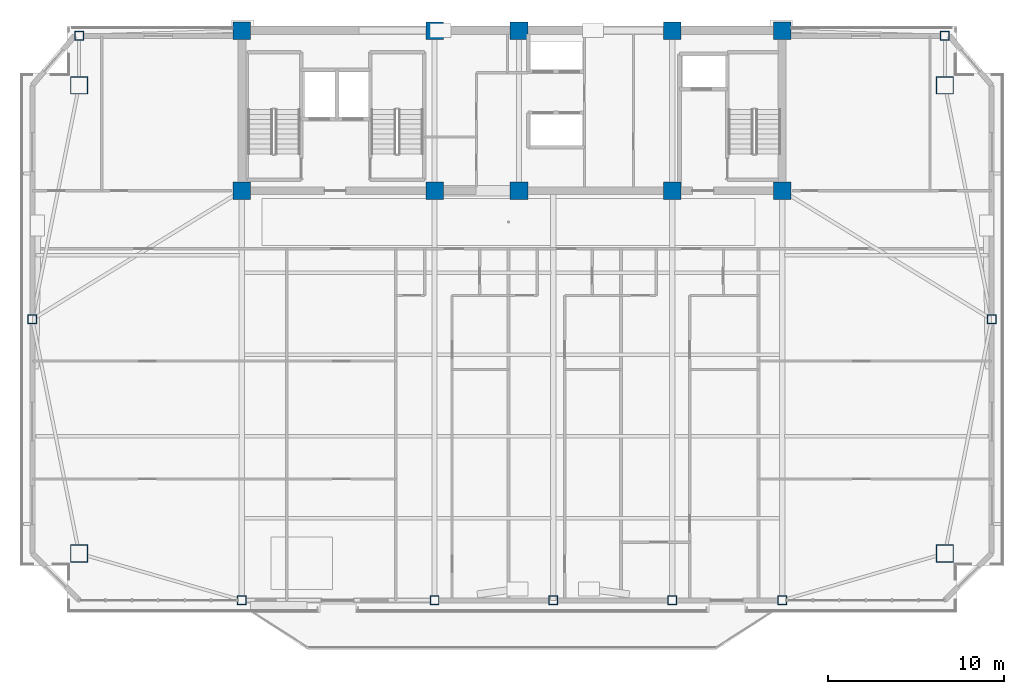
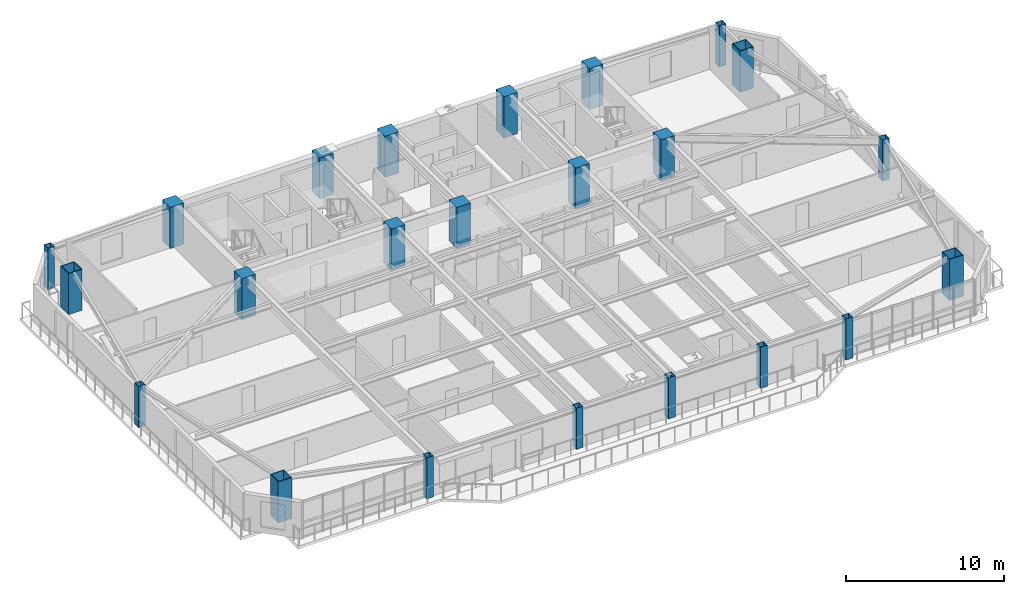
# One storey, part 1 of 19: 23 columns.
"""IFC4 building model written with IfcOpenShell, lengths in metres."""

from ifc_helpers import new_model, si_unit, direction, frame, origin, origin_2d, place, context, subcontext, project, spatial, rectangle, hollow_rectangle, extrude, source, transform, mapped, material, material_profile, profile_set, type_object, element, save


model = new_model("IFC4")

# Units and contexts
model_context = context("Model", 3, precision=1e-05, world=origin(), true_north=direction((0.0, 1.0)))
body_context = subcontext(model_context, "Body", "Model", "MODEL_VIEW")
ifc_project = project(units=[si_unit("LENGTHUNIT", "METRE"), si_unit("AREAUNIT", "SQUARE_METRE"), si_unit("VOLUMEUNIT", "CUBIC_METRE"), si_unit("PLANEANGLEUNIT", "RADIAN"), si_unit("MASSUNIT", "GRAM", prefix="KILO")], contexts=[model_context])

# Site, building, storey
site_placement = place(None, origin())
site = spatial("IfcSite", under=ifc_project, at=site_placement, CompositionType="ELEMENT")
building_placement = place(site_placement, origin())
building = spatial("IfcBuilding", under=site, at=building_placement, Name="Giltprow Tower", CompositionType="ELEMENT")
storey_placement = place(building_placement, frame((0.0, 0.0, 241.699951171875)))
storey = spatial("IfcBuildingStorey", under=building, at=storey_placement, Name="L61", CompositionType="ELEMENT", Elevation=241.699951171875)

# Columns
ifc_material_1 = material(Name="Concrete C50", Category="concrete")
ifc_material_profile_1 = material_profile(ifc_material_1, rectangle(XDim=1.0, YDim=1.0, at=origin_2d()), Name="RC 1000x1000")
ifc_profile_set_1 = profile_set([ifc_material_profile_1], Name="Concrete C50")
column_type_1 = type_object("IfcColumnType", Name="PIL-RC-1000-C50", PredefinedType="PILASTER", material=ifc_profile_set_1)
shared_shape_1 = source(origin(), body_context, "Body", "SweptSolid", [
    extrude(rectangle(XDim=1.0, YDim=1.0, at=origin_2d()), origin(), (0.0, 0.0, 1.0), 3.18505859375),
])
for number, where, z_axis, x_axis, name in (
    (1, (19.85009765625, 37.449951171875, 0.0), (0.0, 0.0, 1.0), (1.0, 0.0, 0.0), "L61 Core Boundary Pilaster 1-1"),
    (2, (19.85009765625, 46.550048828125, 0.0), (0.0, 0.0, 1.0), (1.0, 0.0, 0.0), "L61 Core Boundary Pilaster 1-2"),
    (3, (30.800048828125, 37.449951171875, 0.0), (0.0, 0.0, 1.0), (1.0, 0.0, 0.0), "L61 Core Boundary Pilaster 2-1"),
    (4, (30.800048828125, 46.550048828125, 0.0), (0.0, 0.0, 1.0), (1.0, 0.0, 0.0), "L61 Core Boundary Pilaster 2-2"),
    (5, (35.60009765625, 37.449951171875, 0.0), (0.0, 0.0, 1.0), (1.0, 0.0, 0.0), "L61 Core Boundary Pilaster 3-1"),
    (6, (35.60009765625, 46.550048828125, 0.0), (0.0, 0.0, 1.0), (1.0, 0.0, 0.0), "L61 Core Boundary Pilaster 3-2"),
    (7, (44.300048828125, 37.449951171875, 0.0), (0.0, 0.0, 1.0), (1.0, 0.0, 0.0), "L61 Core Boundary Pilaster 4-1"),
    (8, (44.300048828125, 46.550048828125, 0.0), (0.0, 0.0, 1.0), (1.0, 0.0, 0.0), "L61 Core Boundary Pilaster 4-2"),
    (9, (50.550048828125, 37.449951171875, 0.0), (0.0, 0.0, 1.0), (1.0, 0.0, 0.0), "L61 Core Boundary Pilaster 5-1"),
    (10, (50.550048828125, 46.550048828125, 0.0), (0.0, 0.0, 1.0), (1.0, 0.0, 0.0), "L61 Core Boundary Pilaster 5-2"),
):
    element("IfcColumn", number, at=place(storey_placement, frame(where, z_axis=z_axis, x_axis=x_axis)), inside=storey, type_object=column_type_1, Name=name, PredefinedType="PILASTER", context=body_context, shape_type="MappedRepresentation", body=[
        mapped(shared_shape_1, transform((0.0, 0.0, 0.0), x_axis=(1.0, 0.0, 0.0), y_axis=(0.0, 1.0, 0.0), z_axis=(0.0, 0.0, 1.0), scale=1.0)),
    ])
ifc_material_2 = material(Name="Structural steel Q420GJC", Category="steel")
ifc_material_profile_2 = material_profile(ifc_material_2, hollow_rectangle(XDim=1.0, YDim=1.0, WallThickness=0.044921875, at=origin_2d()), Name="BOX 1000x1000x45")
ifc_profile_set_2 = profile_set([ifc_material_profile_2], Name="Structural steel Q420GJC")
column_type_2 = type_object("IfcColumnType", Name="COL-BOX-1000x1000x45", PredefinedType="COLUMN", material=ifc_profile_set_2)
shared_shape_2 = source(origin(), body_context, "Body", "SweptSolid", [
    extrude(hollow_rectangle(XDim=1.0, YDim=1.0, WallThickness=0.044921875, at=origin_2d()), origin(), (0.0, 0.0, 1.0), 3.18505859375),
])
for number, where, z_axis, x_axis, name in (
    (11, (10.60888671875, 16.843017578125, 0.0), (0.0, 0.0, 1.0), (1.0, 0.0, 0.0), "L61 Mega-Column MC_SW"),
    (12, (59.791015625, 16.843017578125, 0.0), (0.0, 0.0, 1.0), (1.0, 0.0, 0.0), "L61 Mega-Column MC_SE"),
    (13, (10.60888671875, 43.43896484375, 0.0), (0.0, 0.0, 1.0), (1.0, 0.0, 0.0), "L61 Mega-Column MC_NW"),
    (14, (59.791015625, 43.43896484375, 0.0), (0.0, 0.0, 1.0), (1.0, 0.0, 0.0), "L61 Mega-Column MC_NE"),
):
    element("IfcColumn", number, at=place(storey_placement, frame(where, z_axis=z_axis, x_axis=x_axis)), inside=storey, type_object=column_type_2, Name=name, PredefinedType="COLUMN", context=body_context, shape_type="MappedRepresentation", body=[
        mapped(shared_shape_2, transform((0.0, 0.0, 0.0), x_axis=(1.0, 0.0, 0.0), y_axis=(0.0, 1.0, 0.0), z_axis=(0.0, 0.0, 1.0), scale=1.0)),
    ])
ifc_material_3 = material(Name="Structural steel Q355B", Category="steel")
ifc_material_profile_3 = material_profile(ifc_material_3, hollow_rectangle(XDim=0.5, YDim=0.5, WallThickness=0.02392578125, at=origin_2d()), Name="BOX 500x500x24")
ifc_profile_set_3 = profile_set([ifc_material_profile_3], Name="Structural steel Q355B")
column_type_3 = type_object("IfcColumnType", Name="COL-BOX-500x500x24", PredefinedType="COLUMN", material=ifc_profile_set_3)
shared_shape_3 = source(origin(), body_context, "Body", "SweptSolid", [
    extrude(hollow_rectangle(XDim=0.5, YDim=0.5, WallThickness=0.02392578125, at=origin_2d()), origin(), (0.0, 0.0, 1.0), 3.18505859375),
])
for number, where, z_axis, x_axis, name in (
    (15, (19.85009765625, 14.181884765625, 0.0), (0.0, 0.0, 1.0), (1.0, 0.0, 0.0), "L61 Perimeter Column S1"),
    (16, (30.800048828125, 14.181884765625, 0.0), (0.0, 0.0, 1.0), (1.0, 0.0, 0.0), "L61 Perimeter Column S2"),
    (17, (37.550048828125, 14.181884765625, 0.0), (0.0, 0.0, 1.0), (1.0, 0.0, 0.0), "L61 Perimeter Column S_MID"),
    (18, (44.300048828125, 14.181884765625, 0.0), (0.0, 0.0, 1.0), (1.0, 0.0, 0.0), "L61 Perimeter Column S3"),
    (19, (50.550048828125, 14.181884765625, 0.0), (0.0, 0.0, 1.0), (1.0, 0.0, 0.0), "L61 Perimeter Column S4"),
    (20, (7.947998046875, 30.14111328125, 0.0), (0.0, 0.0, 1.0), (1.0, 0.0, 0.0), "L61 Perimeter Column W_MID"),
    (21, (62.451904296875, 30.14111328125, 0.0), (0.0, 0.0, 1.0), (1.0, 0.0, 0.0), "L61 Perimeter Column E_MID"),
    (22, (10.60888671875, 46.25, 0.0), (0.0, 0.0, 1.0), (1.0, 0.0, 0.0), "L61 Perimeter Column N_W"),
    (23, (59.791015625, 46.25, 0.0), (0.0, 0.0, 1.0), (1.0, 0.0, 0.0), "L61 Perimeter Column N_E"),
):
    element("IfcColumn", number, at=place(storey_placement, frame(where, z_axis=z_axis, x_axis=x_axis)), inside=storey, type_object=column_type_3, Name=name, PredefinedType="COLUMN", context=body_context, shape_type="MappedRepresentation", body=[
        mapped(shared_shape_3, transform((0.0, 0.0, 0.0), x_axis=(1.0, 0.0, 0.0), y_axis=(0.0, 1.0, 0.0), z_axis=(0.0, 0.0, 1.0), scale=1.0)),
    ])

save(model, "model.ifc")
